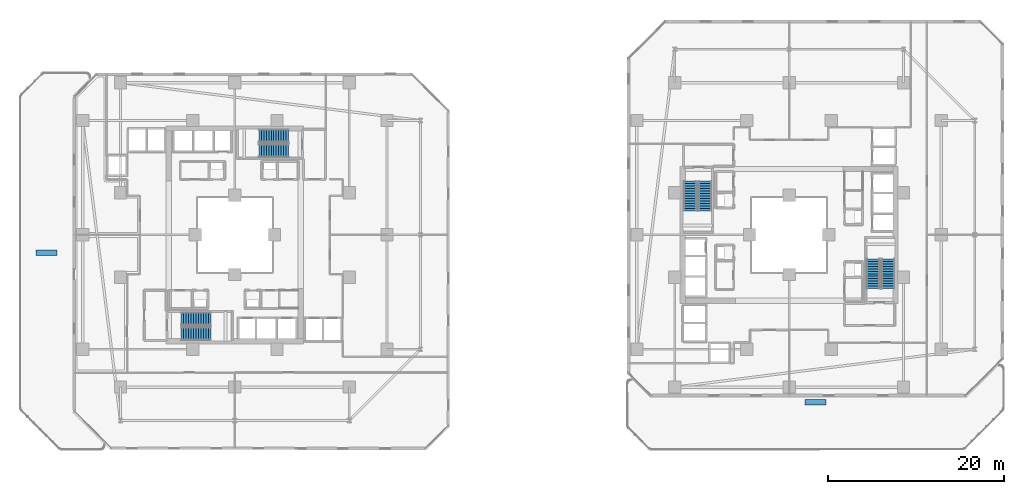
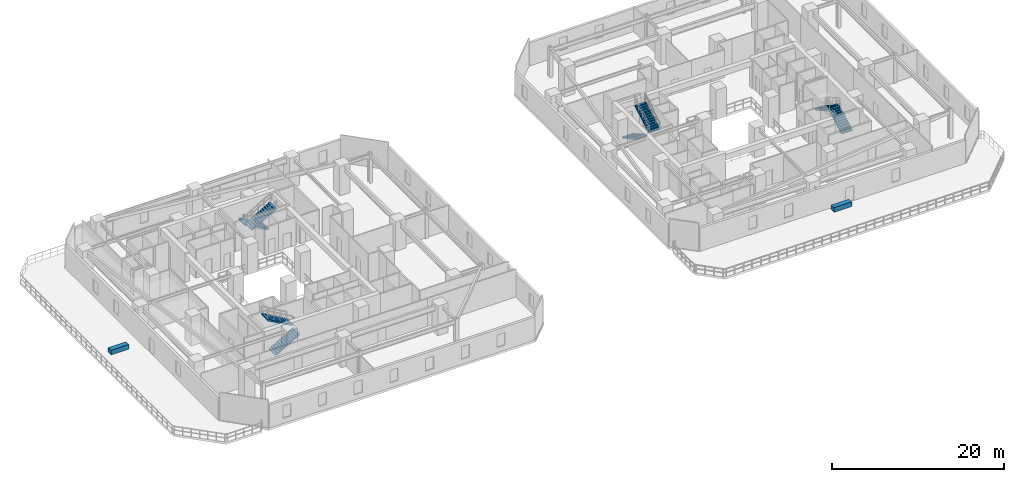
# One storey, part 27 of 33: 8 stair flights, 2 discrete accessories, 4 elements without a shape of their own.
"""IFC4 building model written with IfcOpenShell, lengths in metres."""

from ifc_helpers import new_model, si_unit, direction, frame, origin, origin_2d, place, context, subcontext, project, spatial, polyline, rectangle, outline, extrude, material, type_object, element, aggregate, save


model = new_model("IFC4")

# Units and contexts
model_context = context("Model", 3, precision=1e-05, world=origin(), true_north=direction((0.0, 1.0)))
body_context = subcontext(model_context, "Body", "Model", "MODEL_VIEW")
ifc_project = project(units=[si_unit("LENGTHUNIT", "METRE"), si_unit("AREAUNIT", "SQUARE_METRE"), si_unit("VOLUMEUNIT", "CUBIC_METRE"), si_unit("PLANEANGLEUNIT", "RADIAN"), si_unit("MASSUNIT", "GRAM", prefix="KILO")], contexts=[model_context])

# Site, building, storey
site_placement = place(None, origin())
site = spatial("IfcSite", under=ifc_project, at=site_placement, CompositionType="ELEMENT")
building_placement = place(site_placement, origin())
building = spatial("IfcBuilding", under=site, at=building_placement, Name="Thornwick Lancets Civic Towers", CompositionType="ELEMENT")
storey_placement = place(building_placement, frame((0.0, 0.0, 49.5)))
storey = spatial("IfcBuildingStorey", under=building, at=storey_placement, Name="L12", CompositionType="ELEMENT", Elevation=49.5)

# Stair, stair flights
ifc_material_1 = material(Name="Concrete C40/50", Category="concrete")
stair_type = type_object("IfcStairType", Name="STAIR_DL_4200", PredefinedType="HALF_TURN_STAIR", material=ifc_material_1)
stair_1_placement = place(storey_placement, origin())
stair_1 = element("IfcStair", 1, at=stair_1_placement, inside=storey, type_object=stair_type, Name="L12 Tower A South Exit Stair ST-A1", PredefinedType="HALF_TURN_STAIR")
stair_flight_type = type_object("IfcStairFlightType", Name="FLIGHT_4200", PredefinedType="STRAIGHT", material=ifc_material_1)
stair_flight_1_placement = place(storey_placement, frame((19.39990234375, 15.75, 0.0), z_axis=(0.0, 0.0, 1.0), x_axis=(1.0, 0.0, 0.0)))
stair_flight_1 = element("IfcStairFlight", 2, at=stair_flight_1_placement, type_object=stair_flight_type, Name="ST-A1 flight 1", NumberOfRisers=13, NumberOfTreads=12, PredefinedType="STRAIGHT", RiserHeight=0.161538462, TreadLength=0.28, context=body_context, shape_type="SweptSolid", body=[
    extrude(outline(polyline([(0.0, 0.0), (0.0, 0.16162109375), (0.280029296875, 0.16162109375), (0.280029296875, 0.322998046875), (0.56005859375, 0.322998046875), (0.56005859375, 0.484619140625), (0.840087890625, 0.484619140625), (0.840087890625, 0.646240234375), (1.1201171875, 0.646240234375), (1.1201171875, 0.8076171875), (1.39990234375, 0.8076171875), (1.39990234375, 0.96923828125), (1.679931640625, 0.96923828125), (1.679931640625, 1.130859375), (1.9599609375, 1.130859375), (1.9599609375, 1.292236328125), (2.239990234375, 1.292236328125), (2.239990234375, 1.453857421875), (2.52001953125, 1.453857421875), (2.52001953125, 1.615478515625), (2.800048828125, 1.615478515625), (2.800048828125, 1.77685546875), (3.080078125, 1.77685546875), (3.080078125, 1.9384765625), (3.360107421875, 1.9384765625), (3.360107421875, 2.10009765625), (3.360107421875, 1.765380859375), (0.300048828125, 0.0), (0.0, 0.0)])), frame((0.0, 0.75, 0.0), z_axis=(0.0, -1.0, 0.0), x_axis=(1.0, 0.0, 0.0)), (0.0, 0.0, 1.0), 1.5),
])
stair_flight_2_placement = place(storey_placement, frame((22.760009765625, 17.449951171875, 2.10009765625), z_axis=(0.0, 0.0, 1.0), x_axis=(-1.0, 0.0, 0.0)))
stair_flight_2 = element("IfcStairFlight", 3, at=stair_flight_2_placement, type_object=stair_flight_type, Name="ST-A1 flight 2", NumberOfRisers=13, NumberOfTreads=12, PredefinedType="STRAIGHT", RiserHeight=0.161538462, TreadLength=0.28, context=body_context, shape_type="SweptSolid", body=[
    extrude(outline(polyline([(0.0, 0.0), (0.0, 0.16162109375), (0.280029296875, 0.16162109375), (0.280029296875, 0.322998046875), (0.56005859375, 0.322998046875), (0.56005859375, 0.484619140625), (0.840087890625, 0.484619140625), (0.840087890625, 0.646240234375), (1.1201171875, 0.646240234375), (1.1201171875, 0.8076171875), (1.39990234375, 0.8076171875), (1.39990234375, 0.96923828125), (1.679931640625, 0.96923828125), (1.679931640625, 1.130859375), (1.9599609375, 1.130859375), (1.9599609375, 1.292236328125), (2.239990234375, 1.292236328125), (2.239990234375, 1.453857421875), (2.52001953125, 1.453857421875), (2.52001953125, 1.615478515625), (2.800048828125, 1.615478515625), (2.800048828125, 1.77685546875), (3.080078125, 1.77685546875), (3.080078125, 1.9384765625), (3.360107421875, 1.9384765625), (3.360107421875, 2.10009765625), (3.360107421875, 1.765380859375), (0.300048828125, 0.0), (0.0, 0.0)])), frame((0.0, 0.75, 0.0), z_axis=(0.0, -1.0, 0.0), x_axis=(1.0, 0.0, 0.0)), (0.0, 0.0, 1.0), 1.5),
])
aggregate(stair_1, [stair_flight_1, stair_flight_2])

stair_2_placement = place(storey_placement, origin())
stair_2 = element("IfcStair", 4, at=stair_2_placement, inside=storey, type_object=stair_type, Name="L12 Tower A North Exit Stair ST-A2", PredefinedType="HALF_TURN_STAIR")
stair_flight_3_placement = place(storey_placement, frame((31.60009765625, 38.25, 0.0), z_axis=(0.0, 0.0, 1.0), x_axis=(-1.0, 0.0, 0.0)))
stair_flight_3 = element("IfcStairFlight", 5, at=stair_flight_3_placement, type_object=stair_flight_type, Name="ST-A2 flight 1", NumberOfRisers=13, NumberOfTreads=12, PredefinedType="STRAIGHT", RiserHeight=0.161538462, TreadLength=0.28, context=body_context, shape_type="SweptSolid", body=[
    extrude(outline(polyline([(0.0, 0.0), (0.0, 0.16162109375), (0.280029296875, 0.16162109375), (0.280029296875, 0.322998046875), (0.56005859375, 0.322998046875), (0.56005859375, 0.484619140625), (0.840087890625, 0.484619140625), (0.840087890625, 0.646240234375), (1.1201171875, 0.646240234375), (1.1201171875, 0.8076171875), (1.39990234375, 0.8076171875), (1.39990234375, 0.96923828125), (1.679931640625, 0.96923828125), (1.679931640625, 1.130859375), (1.9599609375, 1.130859375), (1.9599609375, 1.292236328125), (2.239990234375, 1.292236328125), (2.239990234375, 1.453857421875), (2.52001953125, 1.453857421875), (2.52001953125, 1.615478515625), (2.800048828125, 1.615478515625), (2.800048828125, 1.77685546875), (3.080078125, 1.77685546875), (3.080078125, 1.9384765625), (3.360107421875, 1.9384765625), (3.360107421875, 2.10009765625), (3.360107421875, 1.765380859375), (0.300048828125, 0.0), (0.0, 0.0)])), frame((0.0, 0.75, 0.0), z_axis=(0.0, -1.0, 0.0), x_axis=(1.0, 0.0, 0.0)), (0.0, 0.0, 1.0), 1.5),
])
stair_flight_4_placement = place(storey_placement, frame((28.239990234375, 36.550048828125, 2.10009765625), z_axis=(0.0, 0.0, 1.0), x_axis=(1.0, 0.0, 0.0)))
stair_flight_4 = element("IfcStairFlight", 6, at=stair_flight_4_placement, type_object=stair_flight_type, Name="ST-A2 flight 2", NumberOfRisers=13, NumberOfTreads=12, PredefinedType="STRAIGHT", RiserHeight=0.161538462, TreadLength=0.28, context=body_context, shape_type="SweptSolid", body=[
    extrude(outline(polyline([(0.0, 0.0), (0.0, 0.16162109375), (0.280029296875, 0.16162109375), (0.280029296875, 0.322998046875), (0.56005859375, 0.322998046875), (0.56005859375, 0.484619140625), (0.840087890625, 0.484619140625), (0.840087890625, 0.646240234375), (1.1201171875, 0.646240234375), (1.1201171875, 0.8076171875), (1.39990234375, 0.8076171875), (1.39990234375, 0.96923828125), (1.679931640625, 0.96923828125), (1.679931640625, 1.130859375), (1.9599609375, 1.130859375), (1.9599609375, 1.292236328125), (2.239990234375, 1.292236328125), (2.239990234375, 1.453857421875), (2.52001953125, 1.453857421875), (2.52001953125, 1.615478515625), (2.800048828125, 1.615478515625), (2.800048828125, 1.77685546875), (3.080078125, 1.77685546875), (3.080078125, 1.9384765625), (3.360107421875, 1.9384765625), (3.360107421875, 2.10009765625), (3.360107421875, 1.765380859375), (0.300048828125, 0.0), (0.0, 0.0)])), frame((0.0, 0.75, 0.0), z_axis=(0.0, -1.0, 0.0), x_axis=(1.0, 0.0, 0.0)), (0.0, 0.0, 1.0), 1.5),
])
aggregate(stair_2, [stair_flight_3, stair_flight_4])

stair_3_placement = place(storey_placement, origin())
stair_3 = element("IfcStair", 7, at=stair_3_placement, inside=storey, type_object=stair_type, Name="L12 Tower B East Exit Stair ST-B1", PredefinedType="HALF_TURN_STAIR")
stair_flight_5_placement = place(storey_placement, frame((99.75, 20.89990234375, 0.0), z_axis=(0.0, 0.0, 1.0), x_axis=(0.0, 1.0, 0.0)))
stair_flight_5 = element("IfcStairFlight", 8, at=stair_flight_5_placement, type_object=stair_flight_type, Name="ST-B1 flight 1", NumberOfRisers=13, NumberOfTreads=12, PredefinedType="STRAIGHT", RiserHeight=0.161538462, TreadLength=0.28, context=body_context, shape_type="SweptSolid", body=[
    extrude(outline(polyline([(0.0, 0.0), (0.0, 0.16162109375), (0.280029296875, 0.16162109375), (0.280029296875, 0.322998046875), (0.56005859375, 0.322998046875), (0.56005859375, 0.484619140625), (0.840087890625, 0.484619140625), (0.840087890625, 0.646240234375), (1.1201171875, 0.646240234375), (1.1201171875, 0.8076171875), (1.39990234375, 0.8076171875), (1.39990234375, 0.96923828125), (1.679931640625, 0.96923828125), (1.679931640625, 1.130859375), (1.9599609375, 1.130859375), (1.9599609375, 1.292236328125), (2.239990234375, 1.292236328125), (2.239990234375, 1.453857421875), (2.52001953125, 1.453857421875), (2.52001953125, 1.615478515625), (2.800048828125, 1.615478515625), (2.800048828125, 1.77685546875), (3.080078125, 1.77685546875), (3.080078125, 1.9384765625), (3.360107421875, 1.9384765625), (3.360107421875, 2.10009765625), (3.360107421875, 1.765380859375), (0.300048828125, 0.0), (0.0, 0.0)])), frame((0.0, 0.75, 0.0), z_axis=(0.0, -1.0, 0.0), x_axis=(1.0, 0.0, 0.0)), (0.0, 0.0, 1.0), 1.5),
])
stair_flight_6_placement = place(storey_placement, frame((98.050048828125, 24.260009765625, 2.10009765625), z_axis=(0.0, 0.0, 1.0), x_axis=(0.0, -1.0, 0.0)))
stair_flight_6 = element("IfcStairFlight", 9, at=stair_flight_6_placement, type_object=stair_flight_type, Name="ST-B1 flight 2", NumberOfRisers=13, NumberOfTreads=12, PredefinedType="STRAIGHT", RiserHeight=0.161538462, TreadLength=0.28, context=body_context, shape_type="SweptSolid", body=[
    extrude(outline(polyline([(0.0, 0.0), (0.0, 0.16162109375), (0.280029296875, 0.16162109375), (0.280029296875, 0.322998046875), (0.56005859375, 0.322998046875), (0.56005859375, 0.484619140625), (0.840087890625, 0.484619140625), (0.840087890625, 0.646240234375), (1.1201171875, 0.646240234375), (1.1201171875, 0.8076171875), (1.39990234375, 0.8076171875), (1.39990234375, 0.96923828125), (1.679931640625, 0.96923828125), (1.679931640625, 1.130859375), (1.9599609375, 1.130859375), (1.9599609375, 1.292236328125), (2.239990234375, 1.292236328125), (2.239990234375, 1.453857421875), (2.52001953125, 1.453857421875), (2.52001953125, 1.615478515625), (2.800048828125, 1.615478515625), (2.800048828125, 1.77685546875), (3.080078125, 1.77685546875), (3.080078125, 1.9384765625), (3.360107421875, 1.9384765625), (3.360107421875, 2.10009765625), (3.360107421875, 1.765380859375), (0.300048828125, 0.0), (0.0, 0.0)])), frame((0.0, 0.75, 0.0), z_axis=(0.0, -1.0, 0.0), x_axis=(1.0, 0.0, 0.0)), (0.0, 0.0, 1.0), 1.5),
])
aggregate(stair_3, [stair_flight_5, stair_flight_6])

stair_4_placement = place(storey_placement, origin())
stair_4 = element("IfcStair", 10, at=stair_4_placement, inside=storey, type_object=stair_type, Name="L12 Tower B West Exit Stair ST-B2", PredefinedType="HALF_TURN_STAIR")
stair_flight_7_placement = place(storey_placement, frame((77.25, 33.10009765625, 0.0), z_axis=(0.0, 0.0, 1.0), x_axis=(0.0, -1.0, 0.0)))
stair_flight_7 = element("IfcStairFlight", 11, at=stair_flight_7_placement, type_object=stair_flight_type, Name="ST-B2 flight 1", NumberOfRisers=13, NumberOfTreads=12, PredefinedType="STRAIGHT", RiserHeight=0.161538462, TreadLength=0.28, context=body_context, shape_type="SweptSolid", body=[
    extrude(outline(polyline([(0.0, 0.0), (0.0, 0.16162109375), (0.280029296875, 0.16162109375), (0.280029296875, 0.322998046875), (0.56005859375, 0.322998046875), (0.56005859375, 0.484619140625), (0.840087890625, 0.484619140625), (0.840087890625, 0.646240234375), (1.1201171875, 0.646240234375), (1.1201171875, 0.8076171875), (1.39990234375, 0.8076171875), (1.39990234375, 0.96923828125), (1.679931640625, 0.96923828125), (1.679931640625, 1.130859375), (1.9599609375, 1.130859375), (1.9599609375, 1.292236328125), (2.239990234375, 1.292236328125), (2.239990234375, 1.453857421875), (2.52001953125, 1.453857421875), (2.52001953125, 1.615478515625), (2.800048828125, 1.615478515625), (2.800048828125, 1.77685546875), (3.080078125, 1.77685546875), (3.080078125, 1.9384765625), (3.360107421875, 1.9384765625), (3.360107421875, 2.10009765625), (3.360107421875, 1.765380859375), (0.300048828125, 0.0), (0.0, 0.0)])), frame((0.0, 0.75, 0.0), z_axis=(0.0, -1.0, 0.0), x_axis=(1.0, 0.0, 0.0)), (0.0, 0.0, 1.0), 1.5),
])
stair_flight_8_placement = place(storey_placement, frame((78.949951171875, 29.739990234375, 2.10009765625), z_axis=(0.0, 0.0, 1.0), x_axis=(0.0, 1.0, 0.0)))
stair_flight_8 = element("IfcStairFlight", 12, at=stair_flight_8_placement, type_object=stair_flight_type, Name="ST-B2 flight 2", NumberOfRisers=13, NumberOfTreads=12, PredefinedType="STRAIGHT", RiserHeight=0.161538462, TreadLength=0.28, context=body_context, shape_type="SweptSolid", body=[
    extrude(outline(polyline([(0.0, 0.0), (0.0, 0.16162109375), (0.280029296875, 0.16162109375), (0.280029296875, 0.322998046875), (0.56005859375, 0.322998046875), (0.56005859375, 0.484619140625), (0.840087890625, 0.484619140625), (0.840087890625, 0.646240234375), (1.1201171875, 0.646240234375), (1.1201171875, 0.8076171875), (1.39990234375, 0.8076171875), (1.39990234375, 0.96923828125), (1.679931640625, 0.96923828125), (1.679931640625, 1.130859375), (1.9599609375, 1.130859375), (1.9599609375, 1.292236328125), (2.239990234375, 1.292236328125), (2.239990234375, 1.453857421875), (2.52001953125, 1.453857421875), (2.52001953125, 1.615478515625), (2.800048828125, 1.615478515625), (2.800048828125, 1.77685546875), (3.080078125, 1.77685546875), (3.080078125, 1.9384765625), (3.360107421875, 1.9384765625), (3.360107421875, 2.10009765625), (3.360107421875, 1.765380859375), (0.300048828125, 0.0), (0.0, 0.0)])), frame((0.0, 0.75, 0.0), z_axis=(0.0, -1.0, 0.0), x_axis=(1.0, 0.0, 0.0)), (0.0, 0.0, 1.0), 1.5),
])
aggregate(stair_4, [stair_flight_7, stair_flight_8])

# Discrete accessories
ifc_material_2 = material(Name="Planted terracotta greenery planter", Category="masonry")
discrete_accessory_type = type_object("IfcDiscreteAccessoryType", Name="ACC_PLANTER_BOX", PredefinedType="USERDEFINED", material=ifc_material_2)
for number, where, z_axis, x_axis, name in (
    (13, (4.090087890625, 24.98193359375, 0.0), (0.0, 0.0, 1.0), (1.0, 0.0, 0.0), "L12 Tower A Sky-Garden Planter 1"),
    (14, (91.5, 7.965087890625, 0.0), (0.0, 0.0, 1.0), (1.0, 0.0, 0.0), "L12 Tower B Sky-Garden Planter 1"),
):
    element("IfcDiscreteAccessory", number, at=place(storey_placement, frame(where, z_axis=z_axis, x_axis=x_axis)), inside=storey, type_object=discrete_accessory_type, Name=name, ObjectType="PLANTER", PredefinedType="USERDEFINED", context=body_context, shape_type="SweptSolid", body=[
        extrude(rectangle(XDim=2.39990234375, YDim=0.64990234375, at=origin_2d()), origin(), (0.0, 0.0, 1.0), 0.64990234375),
    ])

save(model, "model.ifc")
